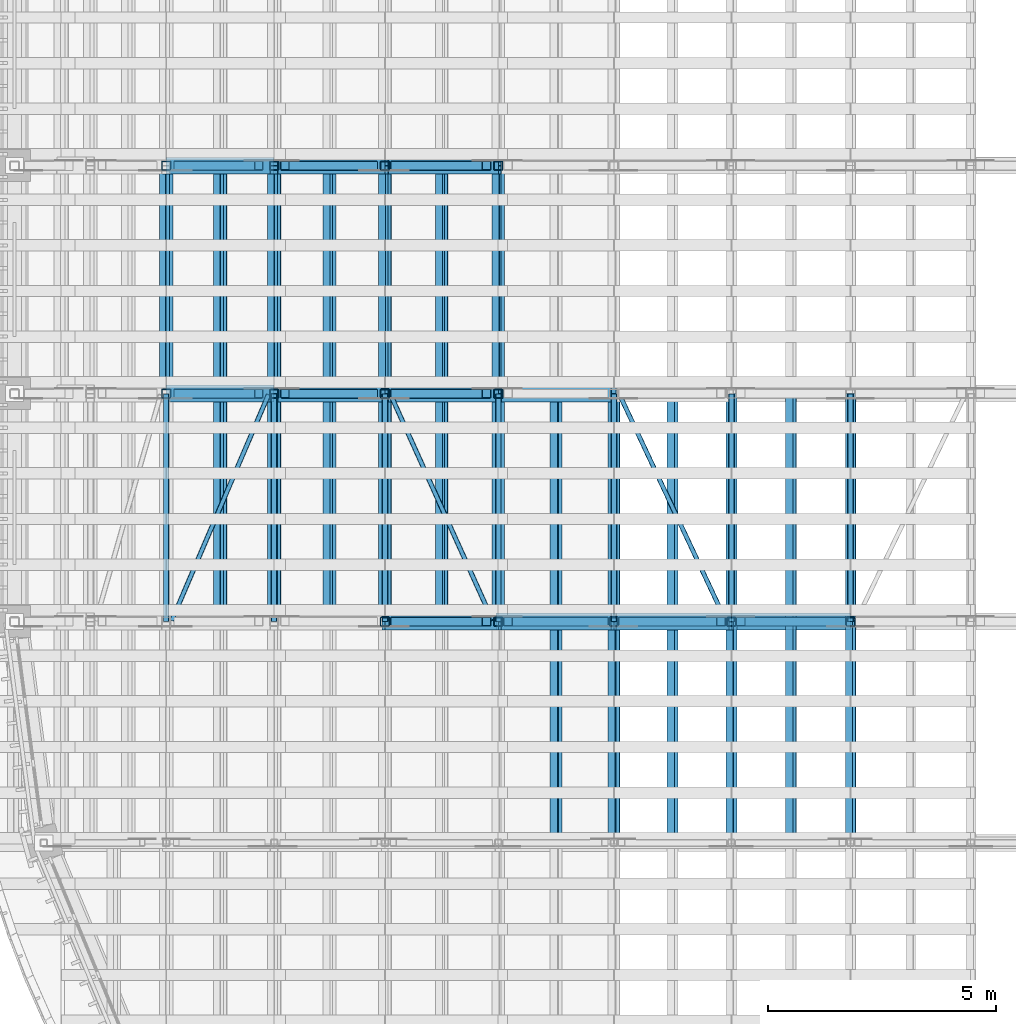
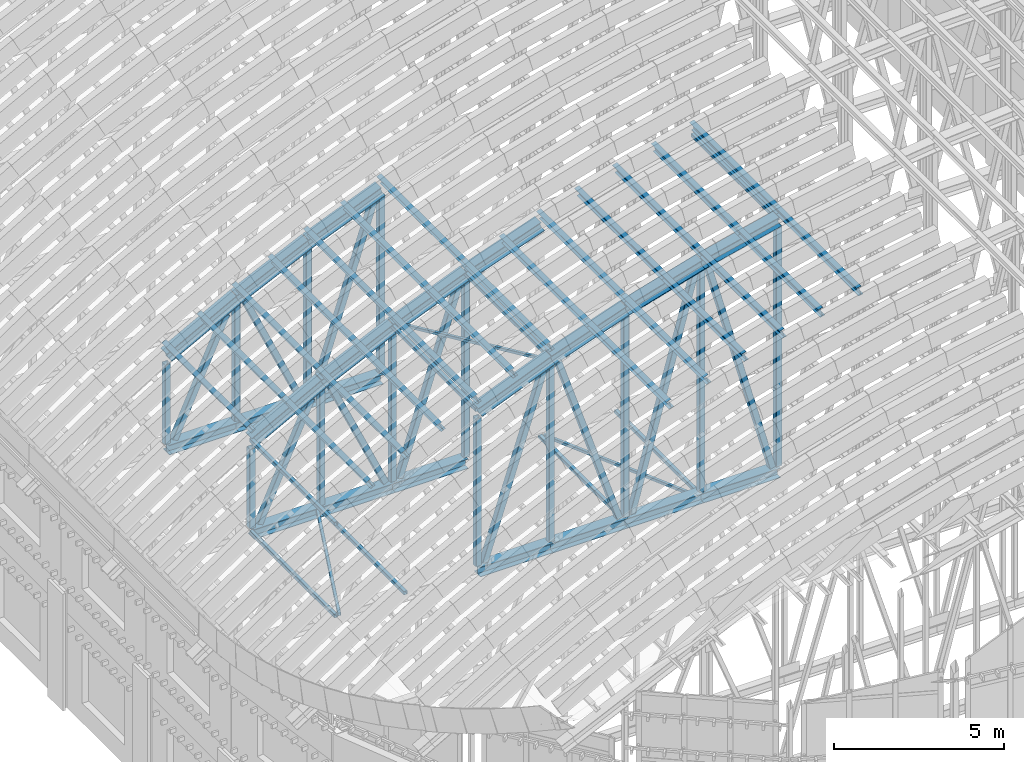
# One storey, part 8 of 105: 80 members.
"""IFC4 building model written with IfcOpenShell, lengths in metres."""

from ifc_helpers import new_model, si_unit, direction, frame, origin, origin_2d, place, context, subcontext, project, spatial, hollow_rectangle, i_section, extrude, material, material_profile, profile_set, type_object, element, save


model = new_model("IFC4")

# Units and contexts
model_context = context("Model", 3, precision=1e-05, world=origin(), true_north=direction((0.0, 1.0)))
body_context = subcontext(model_context, "Body", "Model", "MODEL_VIEW")
ifc_project = project(units=[si_unit("LENGTHUNIT", "METRE"), si_unit("AREAUNIT", "SQUARE_METRE"), si_unit("VOLUMEUNIT", "CUBIC_METRE"), si_unit("PLANEANGLEUNIT", "RADIAN"), si_unit("MASSUNIT", "GRAM", prefix="KILO")], contexts=[model_context])

# Site, building, storey
site_placement = place(None, origin())
site = spatial("IfcSite", under=ifc_project, at=site_placement, CompositionType="ELEMENT")
building_placement = place(site_placement, origin())
building = spatial("IfcBuilding", under=site, at=building_placement, Name="Wasatch Bagh Community Centre", CompositionType="ELEMENT")
storey_placement = place(building_placement, frame((0.0, 0.0, 16.800048828125)))
storey = spatial("IfcBuildingStorey", under=building, at=storey_placement, Name="L04", CompositionType="ELEMENT", Elevation=16.800048828125)

# Members
ifc_material_1 = material(Name="ASTM A500 Grade C steel", Category="steel")
ifc_material_profile_1 = material_profile(ifc_material_1, hollow_rectangle(XDim=0.1015625, YDim=0.1015625, WallThickness=0.005859375, InnerFilletRadius=0.005859375, OuterFilletRadius=0.01171875, at=origin_2d()), Name="HSS4x4x1/4")
ifc_profile_set_1 = profile_set([ifc_material_profile_1], Name="ASTM A500 Grade C steel")
member_type_1 = type_object("IfcMemberType", Name="HSS4x4x1/4 brace", PredefinedType="BRACE", material=ifc_profile_set_1)
member_1_placement = place(storey_placement, frame((27.731689453125, 35.033935546875, 14.590087890625), z_axis=(-0.406201041934, 0.898507987425, -0.166385426243), x_axis=(-0.911209524478, -0.411943203003, 0.0)))
element("IfcMember", 1, at=member_1_placement, inside=storey, type_object=member_type_1, Name="MH.TA1-TA2.RT.DG05", PredefinedType="BRACE", context=body_context, shape_type="SweptSolid", body=[
    extrude(hollow_rectangle(XDim=0.1015625, YDim=0.1015625, WallThickness=0.005859375, InnerFilletRadius=0.005859375, OuterFilletRadius=0.01171875, at=origin_2d()), origin(), (0.0, 0.0, 1.0), 5.4892578125),
])
member_2_placement = place(storey_placement, frame((20.69873046875, 35.023193359375, 7.892822265625), z_axis=(0.393585716155, 0.919287922274, 0.0), x_axis=(-0.919287922274, 0.393585716155, 0.0)))
element("IfcMember", 2, at=member_2_placement, inside=storey, type_object=member_type_1, Name="MH.TA1-TA2.RB.DG03", PredefinedType="BRACE", context=body_context, shape_type="SweptSolid", body=[
    extrude(hollow_rectangle(XDim=0.1015625, YDim=0.1015625, WallThickness=0.005859375, InnerFilletRadius=0.005859375, OuterFilletRadius=0.01171875, at=origin_2d()), origin(), (0.0, 0.0, 1.0), 5.388427734375),
])
member_3_placement = place(storey_placement, frame((32.84716796875, 35.02490234375, 7.892822265625), z_axis=(-0.425407933989, 0.905001707015, 0.0), x_axis=(-0.905001707015, -0.425407933989, 0.0)))
element("IfcMember", 3, at=member_3_placement, inside=storey, type_object=member_type_1, Name="MH.TA1-TA2.RB.DG07", PredefinedType="BRACE", context=body_context, shape_type="SweptSolid", body=[
    extrude(hollow_rectangle(XDim=0.1015625, YDim=0.1015625, WallThickness=0.005859375, InnerFilletRadius=0.005859375, OuterFilletRadius=0.01171875, at=origin_2d()), origin(), (0.0, 0.0, 1.0), 5.4697265625),
])
ifc_material_profile_2 = material_profile(ifc_material_1, hollow_rectangle(XDim=0.126953125, YDim=0.126953125, WallThickness=0.00732421875, InnerFilletRadius=0.00732421875, OuterFilletRadius=0.0146484375, at=origin_2d()), Name="HSS5x5x5/16")
ifc_profile_set_2 = profile_set([ifc_material_profile_2], Name="ASTM A500 Grade C steel")
member_type_2 = type_object("IfcMemberType", Name="HSS5x5x5/16 strut", PredefinedType="STRUT", material=ifc_profile_set_2)
for number, where, z_axis, x_axis, name in (
    (4, (20.5751953125, 35.00537109375, 11.207763671875), (0.0, 1.0, 0.0), (-1.0, 0.0, 0.0), "MH.TA1-TA2.RT.ST02E"),
    (5, (25.373779296875, 35.00537109375, 13.624267578125), (0.0, 1.0, 0.0), (-1.0, 0.0, 0.0), "MH.TA1-TA2.RT.ST05W"),
    (6, (27.85986328125, 35.00537109375, 14.642578125), (0.0, 1.0, 0.0), (-1.0, 0.0, 0.0), "MH.TA1-TA2.RT.ST05E"),
    (7, (35.585205078125, 35.00537109375, 16.906494140625), (0.0, 1.0, 0.0), (-1.0, 0.0, 0.0), "MH.TA1-TA2.RT.ST09W"),
):
    element("IfcMember", number, at=place(storey_placement, frame(where, z_axis=z_axis, x_axis=x_axis)), inside=storey, type_object=member_type_2, Name=name, PredefinedType="STRUT", context=body_context, shape_type="SweptSolid", body=[
        extrude(hollow_rectangle(XDim=0.126953125, YDim=0.126953125, WallThickness=0.00732421875, InnerFilletRadius=0.00732421875, OuterFilletRadius=0.0146484375, at=origin_2d()), origin(), (0.0, 0.0, 1.0), 4.9892578125),
    ])
for number, where, z_axis, x_axis, name in (
    (8, (20.5751953125, 35.003662109375, 7.892822265625), (0.0, 1.0, 0.0), (-1.0, 0.0, 0.0), "MH.TA1-TA2.RB.ST03W"),
    (9, (22.943359375, 35.003662109375, 7.892822265625), (0.0, 1.0, 0.0), (-1.0, 0.0, 0.0), "MH.TA1-TA2.RB.ST03E"),
    (10, (30.39501953125, 35.003662109375, 7.892822265625), (0.0, 1.0, 0.0), (-1.0, 0.0, 0.0), "MH.TA1-TA2.RB.ST07W"),
    (11, (32.972412109375, 35.003662109375, 7.892822265625), (0.0, 1.0, 0.0), (-1.0, 0.0, 0.0), "MH.TA1-TA2.RB.ST07E"),
):
    element("IfcMember", number, at=place(storey_placement, frame(where, z_axis=z_axis, x_axis=x_axis)), inside=storey, type_object=member_type_2, Name=name, PredefinedType="STRUT", context=body_context, shape_type="SweptSolid", body=[
        extrude(hollow_rectangle(XDim=0.126953125, YDim=0.126953125, WallThickness=0.00732421875, InnerFilletRadius=0.00732421875, OuterFilletRadius=0.0146484375, at=origin_2d()), origin(), (0.0, 0.0, 1.0), 4.99267578125),
    ])
ifc_material_profile_3 = material_profile(ifc_material_1, hollow_rectangle(XDim=0.203125, YDim=0.203125, WallThickness=0.01171875, InnerFilletRadius=0.01171875, OuterFilletRadius=0.023681640625, at=origin_2d()), Name="HSS8x8x1/2")
ifc_profile_set_3 = profile_set([ifc_material_profile_3], Name="ASTM A500 Grade C steel")
member_type_3 = type_object("IfcMemberType", Name="HSS8x8x1/2 post", PredefinedType="POST", material=ifc_profile_set_3)
member_4_placement = place(storey_placement, frame((25.373779296875, 35.0, 8.070556640625), z_axis=(0.0, 0.0, 1.0), x_axis=(1.0, 0.0, 0.0)))
element("IfcMember", 12, at=member_4_placement, inside=storey, type_object=member_type_3, Name="MH.TA1.PS05", PredefinedType="POST", context=body_context, shape_type="SweptSolid", body=[
    extrude(hollow_rectangle(XDim=0.203125, YDim=0.203125, WallThickness=0.01171875, InnerFilletRadius=0.01171875, OuterFilletRadius=0.023681640625, at=origin_2d()), origin(), (0.0, 0.0, 1.0), 5.3017578125),
])
member_5_placement = place(storey_placement, frame((27.85986328125, 35.0, 8.070556640625), z_axis=(0.0, 0.0, 1.0), x_axis=(1.0, 0.0, 0.0)))
element("IfcMember", 13, at=member_5_placement, inside=storey, type_object=member_type_3, Name="MH.TA1.PS06", PredefinedType="POST", context=body_context, shape_type="SweptSolid", body=[
    extrude(hollow_rectangle(XDim=0.203125, YDim=0.203125, WallThickness=0.01171875, InnerFilletRadius=0.01171875, OuterFilletRadius=0.023681640625, at=origin_2d()), origin(), (0.0, 0.0, 1.0), 6.3310546875),
])
member_6_placement = place(storey_placement, frame((30.39501953125, 35.0, 8.070556640625), z_axis=(0.0, 0.0, 1.0), x_axis=(1.0, 0.0, 0.0)))
element("IfcMember", 14, at=member_6_placement, inside=storey, type_object=member_type_3, Name="MH.TA1.PS07", PredefinedType="POST", context=body_context, shape_type="SweptSolid", body=[
    extrude(hollow_rectangle(XDim=0.203125, YDim=0.203125, WallThickness=0.01171875, InnerFilletRadius=0.01171875, OuterFilletRadius=0.023681640625, at=origin_2d()), origin(), (0.0, 0.0, 1.0), 7.228759765625),
])
member_7_placement = place(storey_placement, frame((32.972412109375, 35.0, 8.070556640625), z_axis=(0.0, 0.0, 1.0), x_axis=(1.0, 0.0, 0.0)))
element("IfcMember", 15, at=member_7_placement, inside=storey, type_object=member_type_3, Name="MH.TA1.PS08", PredefinedType="POST", context=body_context, shape_type="SweptSolid", body=[
    extrude(hollow_rectangle(XDim=0.203125, YDim=0.203125, WallThickness=0.01171875, InnerFilletRadius=0.01171875, OuterFilletRadius=0.023681640625, at=origin_2d()), origin(), (0.0, 0.0, 1.0), 7.9931640625),
])
member_8_placement = place(storey_placement, frame((35.585205078125, 35.0, 8.070556640625), z_axis=(0.0, 0.0, 1.0), x_axis=(1.0, 0.0, 0.0)))
element("IfcMember", 16, at=member_8_placement, inside=storey, type_object=member_type_3, Name="MH.TA1.PS09", PredefinedType="POST", context=body_context, shape_type="SweptSolid", body=[
    extrude(hollow_rectangle(XDim=0.203125, YDim=0.203125, WallThickness=0.01171875, InnerFilletRadius=0.01171875, OuterFilletRadius=0.023681640625, at=origin_2d()), origin(), (0.0, 0.0, 1.0), 8.6220703125),
])
member_9_placement = place(storey_placement, frame((20.5751953125, 40.0, 8.070556640625), z_axis=(0.0, 0.0, 1.0), x_axis=(1.0, 0.0, 0.0)))
element("IfcMember", 17, at=member_9_placement, inside=storey, type_object=member_type_3, Name="MH.TA2.PS03", PredefinedType="POST", context=body_context, shape_type="SweptSolid", body=[
    extrude(hollow_rectangle(XDim=0.203125, YDim=0.203125, WallThickness=0.01171875, InnerFilletRadius=0.01171875, OuterFilletRadius=0.023681640625, at=origin_2d()), origin(), (0.0, 0.0, 1.0), 2.860107421875),
])
member_10_placement = place(storey_placement, frame((22.943359375, 40.0, 8.070556640625), z_axis=(0.0, 0.0, 1.0), x_axis=(1.0, 0.0, 0.0)))
element("IfcMember", 18, at=member_10_placement, inside=storey, type_object=member_type_3, Name="MH.TA2.PS04", PredefinedType="POST", context=body_context, shape_type="SweptSolid", body=[
    extrude(hollow_rectangle(XDim=0.203125, YDim=0.203125, WallThickness=0.01171875, InnerFilletRadius=0.01171875, OuterFilletRadius=0.023681640625, at=origin_2d()), origin(), (0.0, 0.0, 1.0), 4.143798828125),
])
member_11_placement = place(storey_placement, frame((25.373779296875, 40.0, 8.070556640625), z_axis=(0.0, 0.0, 1.0), x_axis=(1.0, 0.0, 0.0)))
element("IfcMember", 19, at=member_11_placement, inside=storey, type_object=member_type_3, Name="MH.TA2.PS05", PredefinedType="POST", context=body_context, shape_type="SweptSolid", body=[
    extrude(hollow_rectangle(XDim=0.203125, YDim=0.203125, WallThickness=0.01171875, InnerFilletRadius=0.01171875, OuterFilletRadius=0.023681640625, at=origin_2d()), origin(), (0.0, 0.0, 1.0), 5.3017578125),
])
member_12_placement = place(storey_placement, frame((27.85986328125, 40.0, 8.070556640625), z_axis=(0.0, 0.0, 1.0), x_axis=(1.0, 0.0, 0.0)))
element("IfcMember", 20, at=member_12_placement, inside=storey, type_object=member_type_3, Name="MH.TA2.PS06", PredefinedType="POST", context=body_context, shape_type="SweptSolid", body=[
    extrude(hollow_rectangle(XDim=0.203125, YDim=0.203125, WallThickness=0.01171875, InnerFilletRadius=0.01171875, OuterFilletRadius=0.023681640625, at=origin_2d()), origin(), (0.0, 0.0, 1.0), 6.3310546875),
])
member_13_placement = place(storey_placement, frame((20.5751953125, 45.0, 8.070556640625), z_axis=(0.0, 0.0, 1.0), x_axis=(1.0, 0.0, 0.0)))
element("IfcMember", 21, at=member_13_placement, inside=storey, type_object=member_type_3, Name="MH.TA3.PS03", PredefinedType="POST", context=body_context, shape_type="SweptSolid", body=[
    extrude(hollow_rectangle(XDim=0.203125, YDim=0.203125, WallThickness=0.01171875, InnerFilletRadius=0.01171875, OuterFilletRadius=0.023681640625, at=origin_2d()), origin(), (0.0, 0.0, 1.0), 2.860107421875),
])
member_14_placement = place(storey_placement, frame((22.943359375, 45.0, 8.070556640625), z_axis=(0.0, 0.0, 1.0), x_axis=(1.0, 0.0, 0.0)))
element("IfcMember", 22, at=member_14_placement, inside=storey, type_object=member_type_3, Name="MH.TA3.PS04", PredefinedType="POST", context=body_context, shape_type="SweptSolid", body=[
    extrude(hollow_rectangle(XDim=0.203125, YDim=0.203125, WallThickness=0.01171875, InnerFilletRadius=0.01171875, OuterFilletRadius=0.023681640625, at=origin_2d()), origin(), (0.0, 0.0, 1.0), 4.143798828125),
])
member_15_placement = place(storey_placement, frame((25.373779296875, 45.0, 8.070556640625), z_axis=(0.0, 0.0, 1.0), x_axis=(1.0, 0.0, 0.0)))
element("IfcMember", 23, at=member_15_placement, inside=storey, type_object=member_type_3, Name="MH.TA3.PS05", PredefinedType="POST", context=body_context, shape_type="SweptSolid", body=[
    extrude(hollow_rectangle(XDim=0.203125, YDim=0.203125, WallThickness=0.01171875, InnerFilletRadius=0.01171875, OuterFilletRadius=0.023681640625, at=origin_2d()), origin(), (0.0, 0.0, 1.0), 5.3017578125),
])
member_16_placement = place(storey_placement, frame((27.85986328125, 45.0, 8.070556640625), z_axis=(0.0, 0.0, 1.0), x_axis=(1.0, 0.0, 0.0)))
element("IfcMember", 24, at=member_16_placement, inside=storey, type_object=member_type_3, Name="MH.TA3.PS06", PredefinedType="POST", context=body_context, shape_type="SweptSolid", body=[
    extrude(hollow_rectangle(XDim=0.203125, YDim=0.203125, WallThickness=0.01171875, InnerFilletRadius=0.01171875, OuterFilletRadius=0.023681640625, at=origin_2d()), origin(), (0.0, 0.0, 1.0), 6.3310546875),
])
ifc_material_profile_4 = material_profile(ifc_material_1, hollow_rectangle(XDim=0.203125, YDim=0.203125, WallThickness=0.0087890625, InnerFilletRadius=0.0087890625, OuterFilletRadius=0.017822265625, at=origin_2d()), Name="HSS8x8x3/8")
ifc_profile_set_4 = profile_set([ifc_material_profile_4], Name="ASTM A500 Grade C steel")
member_type_4 = type_object("IfcMemberType", Name="HSS8x8x3/8 brace", PredefinedType="BRACE", material=ifc_profile_set_4)
member_17_placement = place(storey_placement, frame((25.59814453125, 35.0, 8.1025390625), z_axis=(0.309201900554, 0.0, 0.950996416762), x_axis=(0.0, 1.0, 0.0)))
element("IfcMember", 25, at=member_17_placement, inside=storey, type_object=member_type_4, Name="MH.TA1.WB05", PredefinedType="BRACE", context=body_context, shape_type="SweptSolid", body=[
    extrude(hollow_rectangle(XDim=0.203125, YDim=0.203125, WallThickness=0.0087890625, InnerFilletRadius=0.0087890625, OuterFilletRadius=0.017822265625, at=origin_2d()), origin(), (0.0, 0.0, 1.0), 6.481689453125),
])
member_18_placement = place(storey_placement, frame((30.170166015625, 35.0, 8.1025390625), z_axis=(-0.31047180951, 0.0, 0.950582587417), x_axis=(0.0, -1.0, 0.0)))
element("IfcMember", 26, at=member_18_placement, inside=storey, type_object=member_type_4, Name="MH.TA1.WB06", PredefinedType="BRACE", context=body_context, shape_type="SweptSolid", body=[
    extrude(hollow_rectangle(XDim=0.203125, YDim=0.203125, WallThickness=0.0087890625, InnerFilletRadius=0.0087890625, OuterFilletRadius=0.017822265625, at=origin_2d()), origin(), (0.0, 0.0, 1.0), 6.750732421875),
])
member_19_placement = place(storey_placement, frame((30.60595703125, 35.0, 8.09765625), z_axis=(0.262074056631, 0.0, 0.965047765057), x_axis=(0.0, 1.0, 0.0)))
element("IfcMember", 27, at=member_19_placement, inside=storey, type_object=member_type_4, Name="MH.TA1.WB07", PredefinedType="BRACE", context=body_context, shape_type="SweptSolid", body=[
    extrude(hollow_rectangle(XDim=0.203125, YDim=0.203125, WallThickness=0.0087890625, InnerFilletRadius=0.0087890625, OuterFilletRadius=0.017822265625, at=origin_2d()), origin(), (0.0, 0.0, 1.0), 8.15869140625),
])
member_20_placement = place(storey_placement, frame((35.3740234375, 35.0, 8.097900390625), z_axis=(-0.263471689833, 0.0, 0.964667128421), x_axis=(0.0, -1.0, 0.0)))
element("IfcMember", 28, at=member_20_placement, inside=storey, type_object=member_type_4, Name="MH.TA1.WB08", PredefinedType="BRACE", context=body_context, shape_type="SweptSolid", body=[
    extrude(hollow_rectangle(XDim=0.203125, YDim=0.203125, WallThickness=0.0087890625, InnerFilletRadius=0.0087890625, OuterFilletRadius=0.017822265625, at=origin_2d()), origin(), (0.0, 0.0, 1.0), 8.337890625),
])
member_21_placement = place(storey_placement, frame((20.834716796875, 40.0, 8.11328125), z_axis=(0.41454038017, 0.0, 0.91003091882), x_axis=(0.0, 1.0, 0.0)))
element("IfcMember", 29, at=member_21_placement, inside=storey, type_object=member_type_4, Name="MH.TA2.WB03", PredefinedType="BRACE", context=body_context, shape_type="SweptSolid", body=[
    extrude(hollow_rectangle(XDim=0.203125, YDim=0.203125, WallThickness=0.0087890625, InnerFilletRadius=0.0087890625, OuterFilletRadius=0.017822265625, at=origin_2d()), origin(), (0.0, 0.0, 1.0), 4.2646484375),
])
member_22_placement = place(storey_placement, frame((25.114501953125, 40.0, 8.113037109375), z_axis=(-0.412645327125, 0.0, 0.910891779523), x_axis=(0.0, -1.0, 0.0)))
element("IfcMember", 30, at=member_22_placement, inside=storey, type_object=member_type_4, Name="MH.TA2.WB04", PredefinedType="BRACE", context=body_context, shape_type="SweptSolid", body=[
    extrude(hollow_rectangle(XDim=0.203125, YDim=0.203125, WallThickness=0.0087890625, InnerFilletRadius=0.0087890625, OuterFilletRadius=0.017822265625, at=origin_2d()), origin(), (0.0, 0.0, 1.0), 4.688720703125),
])
member_23_placement = place(storey_placement, frame((25.59814453125, 40.0, 8.1025390625), z_axis=(0.309201900554, 0.0, 0.950996416762), x_axis=(0.0, 1.0, 0.0)))
element("IfcMember", 31, at=member_23_placement, inside=storey, type_object=member_type_4, Name="MH.TA2.WB05", PredefinedType="BRACE", context=body_context, shape_type="SweptSolid", body=[
    extrude(hollow_rectangle(XDim=0.203125, YDim=0.203125, WallThickness=0.0087890625, InnerFilletRadius=0.0087890625, OuterFilletRadius=0.017822265625, at=origin_2d()), origin(), (0.0, 0.0, 1.0), 6.481689453125),
])
member_24_placement = place(storey_placement, frame((20.834716796875, 45.0, 8.11328125), z_axis=(0.41454038017, 0.0, 0.91003091882), x_axis=(0.0, 1.0, 0.0)))
element("IfcMember", 32, at=member_24_placement, inside=storey, type_object=member_type_4, Name="MH.TA3.WB03", PredefinedType="BRACE", context=body_context, shape_type="SweptSolid", body=[
    extrude(hollow_rectangle(XDim=0.203125, YDim=0.203125, WallThickness=0.0087890625, InnerFilletRadius=0.0087890625, OuterFilletRadius=0.017822265625, at=origin_2d()), origin(), (0.0, 0.0, 1.0), 4.2646484375),
])
member_25_placement = place(storey_placement, frame((25.114501953125, 45.0, 8.113037109375), z_axis=(-0.412645327125, 0.0, 0.910891779523), x_axis=(0.0, -1.0, 0.0)))
element("IfcMember", 33, at=member_25_placement, inside=storey, type_object=member_type_4, Name="MH.TA3.WB04", PredefinedType="BRACE", context=body_context, shape_type="SweptSolid", body=[
    extrude(hollow_rectangle(XDim=0.203125, YDim=0.203125, WallThickness=0.0087890625, InnerFilletRadius=0.0087890625, OuterFilletRadius=0.017822265625, at=origin_2d()), origin(), (0.0, 0.0, 1.0), 4.688720703125),
])
member_26_placement = place(storey_placement, frame((25.59814453125, 45.0, 8.1025390625), z_axis=(0.309201900554, 0.0, 0.950996416762), x_axis=(0.0, 1.0, 0.0)))
element("IfcMember", 34, at=member_26_placement, inside=storey, type_object=member_type_4, Name="MH.TA3.WB05", PredefinedType="BRACE", context=body_context, shape_type="SweptSolid", body=[
    extrude(hollow_rectangle(XDim=0.203125, YDim=0.203125, WallThickness=0.0087890625, InnerFilletRadius=0.0087890625, OuterFilletRadius=0.017822265625, at=origin_2d()), origin(), (0.0, 0.0, 1.0), 6.481689453125),
])
ifc_material_2 = material(Name="ASTM A992 Grade 50 steel", Category="steel")
ifc_material_profile_5 = material_profile(ifc_material_2, i_section(OverallWidth=0.164794921875, OverallDepth=0.309814453125, WebThickness=0.005859375, FlangeThickness=0.009765625, at=origin_2d()), Name="W12x26")
ifc_profile_set_5 = profile_set([ifc_material_profile_5], Name="ASTM A992 Grade 50 steel")
member_type_5 = type_object("IfcMemberType", Name="W12x26 purlin", PredefinedType="PURLIN", material=ifc_profile_set_5)
for number, where, z_axis, x_axis, name in (
    (35, (29.12744140625, 30.147216796875, 15.44580078125), (0.0, 1.0, 0.0), (-0.944194315577, 0.0, -0.329388971326), "MH.TS1-TA1.PU12"),
    (36, (30.39501953125, 30.147216796875, 15.887939453125), (0.0, 1.0, 0.0), (-0.944194315577, 0.0, -0.329388971326), "MH.TS1-TA1.PU13"),
    (37, (31.683837890625, 30.147216796875, 16.261474609375), (0.0, 1.0, 0.0), (-0.959937587317, 0.0, -0.280213897686), "MH.TS1-TA1.PU14"),
    (38, (32.972412109375, 30.147216796875, 16.6376953125), (0.0, 1.0, 0.0), (-0.959937587317, 0.0, -0.280213897686), "MH.TS1-TA1.PU15"),
    (39, (34.27880859375, 30.147216796875, 16.944580078125), (0.0, 1.0, 0.0), (-0.973121628566, 0.0, -0.23029176281), "MH.TS1-TA1.PU16"),
    (40, (35.585205078125, 30.147216796875, 17.25390625), (0.0, 1.0, 0.0), (-0.973121628566, 0.0, -0.23029176281), "MH.TS1-TA1.PU17"),
):
    element("IfcMember", number, at=place(storey_placement, frame(where, z_axis=z_axis, x_axis=x_axis)), inside=storey, type_object=member_type_5, Name=name, PredefinedType="PURLIN", context=body_context, shape_type="SweptSolid", body=[
        extrude(i_section(OverallWidth=0.164794921875, OverallDepth=0.309814453125, WebThickness=0.005859375, FlangeThickness=0.009765625, at=origin_2d()), origin(), (0.0, 0.0, 1.0), 4.852783203125),
    ])
for number, where, z_axis, x_axis, name in (
    (41, (21.75927734375, 35.0, 12.2275390625), (0.0, 1.0, 0.0), (-0.882062247877, 0.0, -0.471132880269), "MH.TA1-TA2.PU07"),
    (42, (22.943359375, 35.0, 12.860107421875), (0.0, 1.0, 0.0), (-0.882062247877, 0.0, -0.471132880269), "MH.TA1-TA2.PU08"),
    (43, (24.15869140625, 35.0, 13.426025390625), (0.0, 1.0, 0.0), (-0.905204669284, 0.0, -0.424975889559), "MH.TA1-TA2.PU09"),
    (44, (25.373779296875, 35.0, 13.99658203125), (0.0, 1.0, 0.0), (-0.905204669284, 0.0, -0.424975889559), "MH.TA1-TA2.PU10"),
    (45, (26.616943359375, 35.0, 14.499755859375), (0.0, 1.0, 0.0), (-0.925933779633, 0.0, -0.377685895599), "MH.TA1-TA2.PU11"),
    (46, (27.85986328125, 35.0, 15.0068359375), (0.0, 1.0, 0.0), (-0.925933779633, 0.0, -0.377685895599), "MH.TA1-TA2.PU12"),
    (47, (29.12744140625, 35.0, 15.44580078125), (0.0, 1.0, 0.0), (-0.944194315577, 0.0, -0.329388971326), "MH.TA1-TA2.PU13"),
    (48, (30.39501953125, 35.0, 15.887939453125), (0.0, 1.0, 0.0), (-0.944194315577, 0.0, -0.329388971326), "MH.TA1-TA2.PU14"),
    (49, (31.683837890625, 35.0, 16.261474609375), (0.0, 1.0, 0.0), (-0.959937587317, 0.0, -0.280213897686), "MH.TA1-TA2.PU15"),
    (50, (32.972412109375, 35.0, 16.6376953125), (0.0, 1.0, 0.0), (-0.959937587317, 0.0, -0.280213897686), "MH.TA1-TA2.PU16"),
    (51, (34.27880859375, 35.0, 16.944580078125), (0.0, 1.0, 0.0), (-0.973121628566, 0.0, -0.23029176281), "MH.TA1-TA2.PU17"),
    (52, (35.585205078125, 35.0, 17.25390625), (0.0, 1.0, 0.0), (-0.973121628566, 0.0, -0.23029176281), "MH.TA1-TA2.PU18"),
    (53, (20.5751953125, 40.0, 11.600341796875), (0.0, 1.0, 0.0), (-0.856568214693, 0.0, -0.516033810499), "MH.TA2-TA3.PU06"),
    (54, (21.75927734375, 40.0, 12.2275390625), (0.0, 1.0, 0.0), (-0.882062247877, 0.0, -0.471132880269), "MH.TA2-TA3.PU07"),
    (55, (22.943359375, 40.0, 12.860107421875), (0.0, 1.0, 0.0), (-0.882062247877, 0.0, -0.471132880269), "MH.TA2-TA3.PU08"),
    (56, (24.15869140625, 40.0, 13.426025390625), (0.0, 1.0, 0.0), (-0.905204669284, 0.0, -0.424975889559), "MH.TA2-TA3.PU09"),
    (57, (25.373779296875, 40.0, 13.99658203125), (0.0, 1.0, 0.0), (-0.905204669284, 0.0, -0.424975889559), "MH.TA2-TA3.PU10"),
    (58, (26.616943359375, 40.0, 14.499755859375), (0.0, 1.0, 0.0), (-0.925933779633, 0.0, -0.377685895599), "MH.TA2-TA3.PU11"),
    (59, (27.85986328125, 40.0, 15.0068359375), (0.0, 1.0, 0.0), (-0.925933779633, 0.0, -0.377685895599), "MH.TA2-TA3.PU12"),
):
    element("IfcMember", number, at=place(storey_placement, frame(where, z_axis=z_axis, x_axis=x_axis)), inside=storey, type_object=member_type_5, Name=name, PredefinedType="PURLIN", context=body_context, shape_type="SweptSolid", body=[
        extrude(i_section(OverallWidth=0.164794921875, OverallDepth=0.309814453125, WebThickness=0.005859375, FlangeThickness=0.009765625, at=origin_2d()), origin(), (0.0, 0.0, 1.0), 5.0),
    ])
ifc_material_profile_6 = material_profile(ifc_material_2, i_section(OverallWidth=0.373291015625, OverallDepth=0.368408203125, WebThickness=0.014892578125, FlangeThickness=0.02392578125, at=origin_2d()), Name="W14x120")
ifc_profile_set_6 = profile_set([ifc_material_profile_6], Name="ASTM A992 Grade 50 steel")
member_type_6 = type_object("IfcMemberType", Name="W14x120 chord", PredefinedType="CHORD", material=ifc_profile_set_6)
member_27_placement = place(storey_placement, frame((25.378662109375, 35.0, 13.62646484375), z_axis=(0.925400102713, 0.0, 0.378991622466), x_axis=(0.0, 1.0, 0.0)))
element("IfcMember", 60, at=member_27_placement, inside=storey, type_object=member_type_6, Name="MH.TA1.TC07", PredefinedType="CHORD", context=body_context, shape_type="SweptSolid", body=[
    extrude(i_section(OverallWidth=0.373291015625, OverallDepth=0.368408203125, WebThickness=0.014892578125, FlangeThickness=0.02392578125, at=origin_2d()), origin(), (0.0, 0.0, 1.0), 2.676025390625),
])
member_28_placement = place(storey_placement, frame((27.864990234375, 35.0, 14.644287109375), z_axis=(0.943774394327, 0.0, 0.330590218568), x_axis=(0.0, 1.0, 0.0)))
element("IfcMember", 61, at=member_28_placement, inside=storey, type_object=member_type_6, Name="MH.TA1.TC08", PredefinedType="CHORD", context=body_context, shape_type="SweptSolid", body=[
    extrude(i_section(OverallWidth=0.373291015625, OverallDepth=0.368408203125, WebThickness=0.014892578125, FlangeThickness=0.02392578125, at=origin_2d()), origin(), (0.0, 0.0, 1.0), 2.675537109375),
])
for number, where, z_axis, x_axis, name in (
    (62, (30.400146484375, 35.0, 15.531982421875), (0.959628119174, 0.0, 0.281271884288), (0.0, 1.0, 0.0), "MH.TA1.TC09"),
    (63, (32.9775390625, 35.0, 16.287109375), (0.972931420712, 0.0, 0.23109402976), (0.0, 1.0, 0.0), "MH.TA1.TC10"),
):
    element("IfcMember", number, at=place(storey_placement, frame(where, z_axis=z_axis, x_axis=x_axis)), inside=storey, type_object=member_type_6, Name=name, PredefinedType="CHORD", context=body_context, shape_type="SweptSolid", body=[
        extrude(i_section(OverallWidth=0.373291015625, OverallDepth=0.368408203125, WebThickness=0.014892578125, FlangeThickness=0.02392578125, at=origin_2d()), origin(), (0.0, 0.0, 1.0), 2.675048828125),
    ])
member_29_placement = place(storey_placement, frame((20.57958984375, 40.0, 11.210205078125), z_axis=(0.881199185378, 0.0, 0.472745169927), x_axis=(0.0, 1.0, 0.0)))
element("IfcMember", 64, at=member_29_placement, inside=storey, type_object=member_type_6, Name="MH.TA2.TC05", PredefinedType="CHORD", context=body_context, shape_type="SweptSolid", body=[
    extrude(i_section(OverallWidth=0.373291015625, OverallDepth=0.368408203125, WebThickness=0.014892578125, FlangeThickness=0.02392578125, at=origin_2d()), origin(), (0.0, 0.0, 1.0), 2.67724609375),
])
member_30_placement = place(storey_placement, frame((22.9482421875, 40.0, 12.480712890625), z_axis=(0.90451458508, 0.0, 0.426442687096), x_axis=(0.0, 1.0, 0.0)))
element("IfcMember", 65, at=member_30_placement, inside=storey, type_object=member_type_6, Name="MH.TA2.TC06", PredefinedType="CHORD", context=body_context, shape_type="SweptSolid", body=[
    extrude(i_section(OverallWidth=0.373291015625, OverallDepth=0.368408203125, WebThickness=0.014892578125, FlangeThickness=0.02392578125, at=origin_2d()), origin(), (0.0, 0.0, 1.0), 2.676513671875),
])
member_31_placement = place(storey_placement, frame((25.378662109375, 40.0, 13.62646484375), z_axis=(0.925400102713, 0.0, 0.378991622466), x_axis=(0.0, 1.0, 0.0)))
element("IfcMember", 66, at=member_31_placement, inside=storey, type_object=member_type_6, Name="MH.TA2.TC07", PredefinedType="CHORD", context=body_context, shape_type="SweptSolid", body=[
    extrude(i_section(OverallWidth=0.373291015625, OverallDepth=0.368408203125, WebThickness=0.014892578125, FlangeThickness=0.02392578125, at=origin_2d()), origin(), (0.0, 0.0, 1.0), 2.676025390625),
])
member_32_placement = place(storey_placement, frame((27.864990234375, 40.0, 14.644287109375), z_axis=(0.943774394327, 0.0, 0.330590218568), x_axis=(0.0, 1.0, 0.0)))
element("IfcMember", 67, at=member_32_placement, inside=storey, type_object=member_type_6, Name="MH.TA2.TC08", PredefinedType="CHORD", context=body_context, shape_type="SweptSolid", body=[
    extrude(i_section(OverallWidth=0.373291015625, OverallDepth=0.368408203125, WebThickness=0.014892578125, FlangeThickness=0.02392578125, at=origin_2d()), origin(), (0.0, 0.0, 1.0), 2.675537109375),
])
member_33_placement = place(storey_placement, frame((20.57958984375, 45.0, 11.210205078125), z_axis=(0.881199185378, 0.0, 0.472745169927), x_axis=(0.0, 1.0, 0.0)))
element("IfcMember", 68, at=member_33_placement, inside=storey, type_object=member_type_6, Name="MH.TA3.TC05", PredefinedType="CHORD", context=body_context, shape_type="SweptSolid", body=[
    extrude(i_section(OverallWidth=0.373291015625, OverallDepth=0.368408203125, WebThickness=0.014892578125, FlangeThickness=0.02392578125, at=origin_2d()), origin(), (0.0, 0.0, 1.0), 2.67724609375),
])
member_34_placement = place(storey_placement, frame((22.9482421875, 45.0, 12.480712890625), z_axis=(0.90451458508, 0.0, 0.426442687096), x_axis=(0.0, 1.0, 0.0)))
element("IfcMember", 69, at=member_34_placement, inside=storey, type_object=member_type_6, Name="MH.TA3.TC06", PredefinedType="CHORD", context=body_context, shape_type="SweptSolid", body=[
    extrude(i_section(OverallWidth=0.373291015625, OverallDepth=0.368408203125, WebThickness=0.014892578125, FlangeThickness=0.02392578125, at=origin_2d()), origin(), (0.0, 0.0, 1.0), 2.676513671875),
])
member_35_placement = place(storey_placement, frame((25.378662109375, 45.0, 13.62646484375), z_axis=(0.925400102713, 0.0, 0.378991622466), x_axis=(0.0, 1.0, 0.0)))
element("IfcMember", 70, at=member_35_placement, inside=storey, type_object=member_type_6, Name="MH.TA3.TC07", PredefinedType="CHORD", context=body_context, shape_type="SweptSolid", body=[
    extrude(i_section(OverallWidth=0.373291015625, OverallDepth=0.368408203125, WebThickness=0.014892578125, FlangeThickness=0.02392578125, at=origin_2d()), origin(), (0.0, 0.0, 1.0), 2.676025390625),
])
ifc_material_profile_7 = material_profile(ifc_material_2, i_section(OverallWidth=0.368408203125, OverallDepth=0.355712890625, WebThickness=0.01123046875, FlangeThickness=0.01806640625, at=origin_2d()), Name="W14x90")
ifc_profile_set_7 = profile_set([ifc_material_profile_7], Name="ASTM A992 Grade 50 steel")
member_type_7 = type_object("IfcMemberType", Name="W14x90 chord", PredefinedType="CHORD", material=ifc_profile_set_7)
member_36_placement = place(storey_placement, frame((25.373779296875, 35.0, 7.892822265625), z_axis=(1.0, 0.0, 0.0), x_axis=(0.0, 1.0, 0.0)))
element("IfcMember", 71, at=member_36_placement, inside=storey, type_object=member_type_7, Name="MH.TA1.BC05", PredefinedType="CHORD", context=body_context, shape_type="SweptSolid", body=[
    extrude(i_section(OverallWidth=0.368408203125, OverallDepth=0.355712890625, WebThickness=0.01123046875, FlangeThickness=0.01806640625, at=origin_2d()), origin(), (0.0, 0.0, 1.0), 2.486083984375),
])
member_37_placement = place(storey_placement, frame((27.85986328125, 35.0, 7.892822265625), z_axis=(1.0, 0.0, 0.0), x_axis=(0.0, 1.0, 0.0)))
element("IfcMember", 72, at=member_37_placement, inside=storey, type_object=member_type_7, Name="MH.TA1.BC06", PredefinedType="CHORD", context=body_context, shape_type="SweptSolid", body=[
    extrude(i_section(OverallWidth=0.368408203125, OverallDepth=0.355712890625, WebThickness=0.01123046875, FlangeThickness=0.01806640625, at=origin_2d()), origin(), (0.0, 0.0, 1.0), 2.53515625),
])
member_38_placement = place(storey_placement, frame((30.39501953125, 35.0, 7.892822265625), z_axis=(1.0, 0.0, 0.0), x_axis=(0.0, 1.0, 0.0)))
element("IfcMember", 73, at=member_38_placement, inside=storey, type_object=member_type_7, Name="MH.TA1.BC07", PredefinedType="CHORD", context=body_context, shape_type="SweptSolid", body=[
    extrude(i_section(OverallWidth=0.368408203125, OverallDepth=0.355712890625, WebThickness=0.01123046875, FlangeThickness=0.01806640625, at=origin_2d()), origin(), (0.0, 0.0, 1.0), 2.577392578125),
])
member_39_placement = place(storey_placement, frame((32.972412109375, 35.0, 7.892822265625), z_axis=(1.0, 0.0, 0.0), x_axis=(0.0, 1.0, 0.0)))
element("IfcMember", 74, at=member_39_placement, inside=storey, type_object=member_type_7, Name="MH.TA1.BC08", PredefinedType="CHORD", context=body_context, shape_type="SweptSolid", body=[
    extrude(i_section(OverallWidth=0.368408203125, OverallDepth=0.355712890625, WebThickness=0.01123046875, FlangeThickness=0.01806640625, at=origin_2d()), origin(), (0.0, 0.0, 1.0), 2.61279296875),
])
member_40_placement = place(storey_placement, frame((20.5751953125, 40.0, 7.892822265625), z_axis=(1.0, 0.0, 0.0), x_axis=(0.0, 1.0, 0.0)))
element("IfcMember", 75, at=member_40_placement, inside=storey, type_object=member_type_7, Name="MH.TA2.BC03", PredefinedType="CHORD", context=body_context, shape_type="SweptSolid", body=[
    extrude(i_section(OverallWidth=0.368408203125, OverallDepth=0.355712890625, WebThickness=0.01123046875, FlangeThickness=0.01806640625, at=origin_2d()), origin(), (0.0, 0.0, 1.0), 2.3681640625),
])
member_41_placement = place(storey_placement, frame((22.943359375, 40.0, 7.892822265625), z_axis=(1.0, 0.0, 0.0), x_axis=(0.0, 1.0, 0.0)))
element("IfcMember", 76, at=member_41_placement, inside=storey, type_object=member_type_7, Name="MH.TA2.BC04", PredefinedType="CHORD", context=body_context, shape_type="SweptSolid", body=[
    extrude(i_section(OverallWidth=0.368408203125, OverallDepth=0.355712890625, WebThickness=0.01123046875, FlangeThickness=0.01806640625, at=origin_2d()), origin(), (0.0, 0.0, 1.0), 2.430419921875),
])
member_42_placement = place(storey_placement, frame((25.373779296875, 40.0, 7.892822265625), z_axis=(1.0, 0.0, 0.0), x_axis=(0.0, 1.0, 0.0)))
element("IfcMember", 77, at=member_42_placement, inside=storey, type_object=member_type_7, Name="MH.TA2.BC05", PredefinedType="CHORD", context=body_context, shape_type="SweptSolid", body=[
    extrude(i_section(OverallWidth=0.368408203125, OverallDepth=0.355712890625, WebThickness=0.01123046875, FlangeThickness=0.01806640625, at=origin_2d()), origin(), (0.0, 0.0, 1.0), 2.486083984375),
])
member_43_placement = place(storey_placement, frame((20.5751953125, 45.0, 7.892822265625), z_axis=(1.0, 0.0, 0.0), x_axis=(0.0, 1.0, 0.0)))
element("IfcMember", 78, at=member_43_placement, inside=storey, type_object=member_type_7, Name="MH.TA3.BC03", PredefinedType="CHORD", context=body_context, shape_type="SweptSolid", body=[
    extrude(i_section(OverallWidth=0.368408203125, OverallDepth=0.355712890625, WebThickness=0.01123046875, FlangeThickness=0.01806640625, at=origin_2d()), origin(), (0.0, 0.0, 1.0), 2.3681640625),
])
member_44_placement = place(storey_placement, frame((22.943359375, 45.0, 7.892822265625), z_axis=(1.0, 0.0, 0.0), x_axis=(0.0, 1.0, 0.0)))
element("IfcMember", 79, at=member_44_placement, inside=storey, type_object=member_type_7, Name="MH.TA3.BC04", PredefinedType="CHORD", context=body_context, shape_type="SweptSolid", body=[
    extrude(i_section(OverallWidth=0.368408203125, OverallDepth=0.355712890625, WebThickness=0.01123046875, FlangeThickness=0.01806640625, at=origin_2d()), origin(), (0.0, 0.0, 1.0), 2.430419921875),
])
member_45_placement = place(storey_placement, frame((25.373779296875, 45.0, 7.892822265625), z_axis=(1.0, 0.0, 0.0), x_axis=(0.0, 1.0, 0.0)))
element("IfcMember", 80, at=member_45_placement, inside=storey, type_object=member_type_7, Name="MH.TA3.BC05", PredefinedType="CHORD", context=body_context, shape_type="SweptSolid", body=[
    extrude(i_section(OverallWidth=0.368408203125, OverallDepth=0.355712890625, WebThickness=0.01123046875, FlangeThickness=0.01806640625, at=origin_2d()), origin(), (0.0, 0.0, 1.0), 2.486083984375),
])

save(model, "model.ifc")
